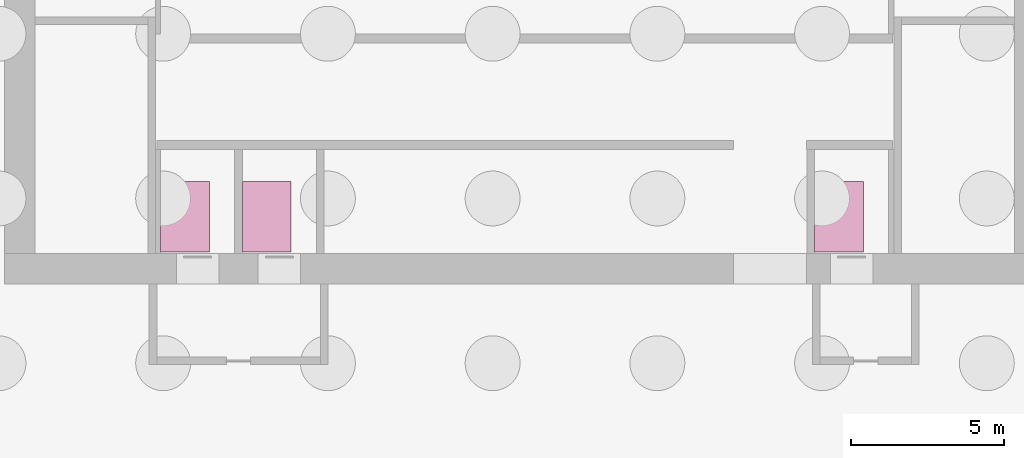
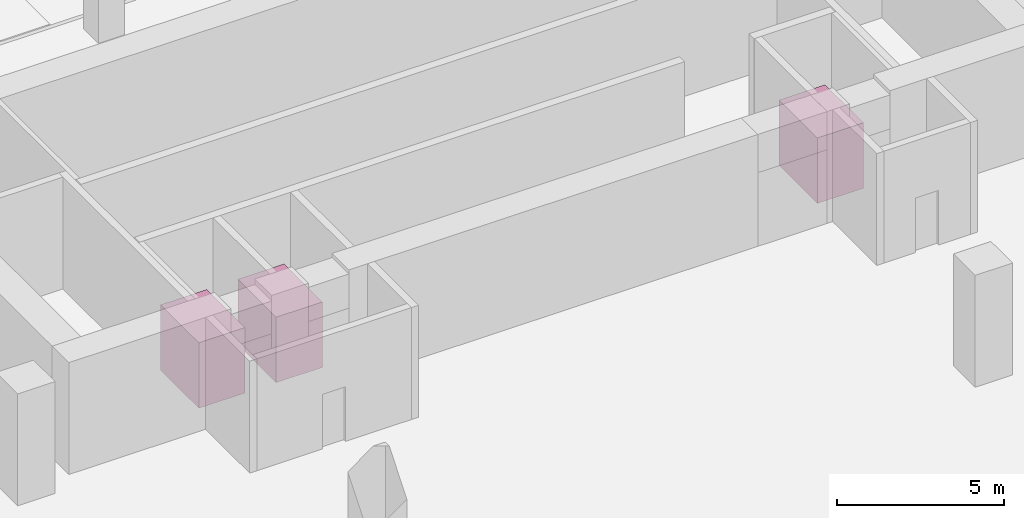
# One storey, part 15 of 15: 3 transport elements.
"""IFC4 building model written with IfcOpenShell, lengths in metres."""

from ifc_helpers import new_model, si_unit, direction, frame, origin, origin_2d, place, context, subcontext, project, spatial, rectangle, extrude, source, transform, mapped, material, type_object, element, save


model = new_model("IFC4")

# Units and contexts
model_context = context("Model", 3, precision=1e-05, world=origin(), true_north=direction((0.0, 1.0)))
body_context = subcontext(model_context, "Body", "Model", "MODEL_VIEW")
ifc_project = project(units=[si_unit("LENGTHUNIT", "METRE"), si_unit("AREAUNIT", "SQUARE_METRE"), si_unit("VOLUMEUNIT", "CUBIC_METRE"), si_unit("PLANEANGLEUNIT", "RADIAN"), si_unit("MASSUNIT", "GRAM", prefix="KILO")], contexts=[model_context])

# Site, building, storey
site_placement = place(None, origin())
site = spatial("IfcSite", under=ifc_project, at=site_placement, CompositionType="ELEMENT")
building_placement = place(site_placement, origin())
building = spatial("IfcBuilding", under=site, at=building_placement, Name="Kilnfold Tower and Market Hall", CompositionType="ELEMENT")
storey_placement = place(building_placement, frame((0.0, 0.0, -9.0)))
storey = spatial("IfcBuildingStorey", under=building, at=storey_placement, Name="B2", CompositionType="ELEMENT", Elevation=-9.0)

# Transport elements
ifc_material = material(Name="Stainless steel 304 cab", Category="steel")
transport_element_type = type_object("IfcTransportElementType", Name="LIFT FF 1600 KG", PredefinedType="ELEVATOR", material=ifc_material)
shared_shape = source(origin(), body_context, "Body", "SweptSolid", [
    extrude(rectangle(XDim=1.60009765625, YDim=2.300048828125, at=origin_2d()), origin(), (0.0, 0.0, 1.0), 2.39990234375),
])
for number, where, z_axis, x_axis, name in (
    (1, (-10.0849609375, 10.199951171875, 0.0), (0.0, 0.0, 1.0), (1.0, 0.0, 0.0), "Firefighting lift FF1"),
    (2, (-7.405029296875, 10.199951171875, 0.0), (0.0, 0.0, 1.0), (1.0, 0.0, 0.0), "Firefighting lift FF2"),
    (3, (11.35498046875, 10.199951171875, 0.0), (0.0, 0.0, 1.0), (1.0, 0.0, 0.0), "Firefighting lift FF3"),
):
    element("IfcTransportElement", number, at=place(storey_placement, frame(where, z_axis=z_axis, x_axis=x_axis)), inside=storey, type_object=transport_element_type, Name=name, PredefinedType="ELEVATOR", context=body_context, shape_type="MappedRepresentation", body=[
        mapped(shared_shape, transform((0.0, 0.0, 0.0))),
    ])

save(model, "model.ifc")
